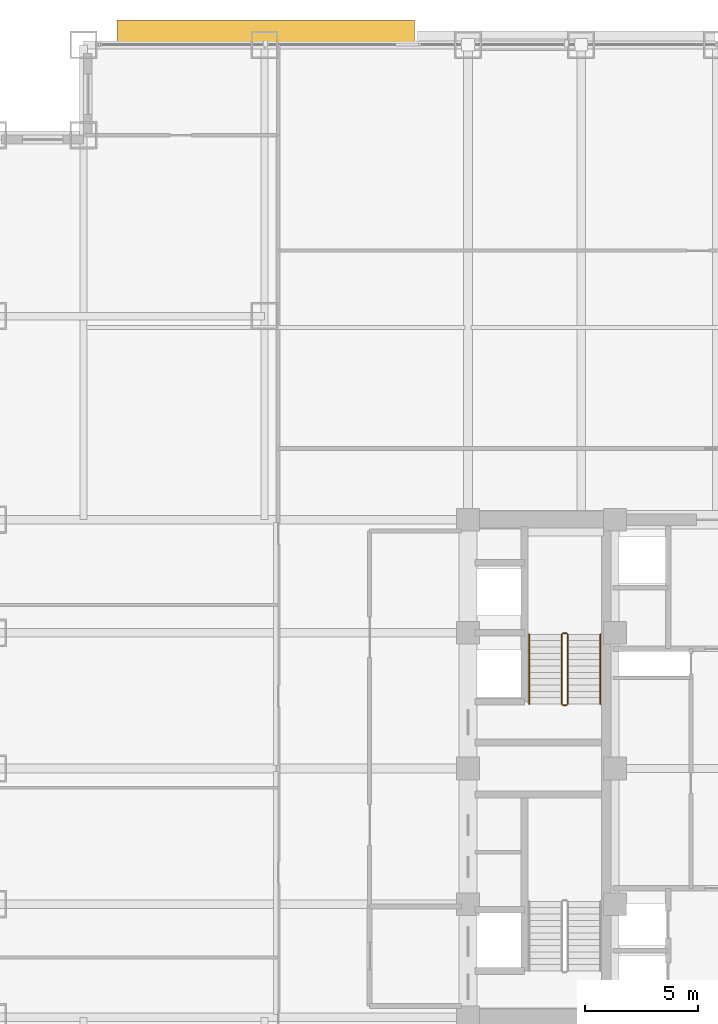
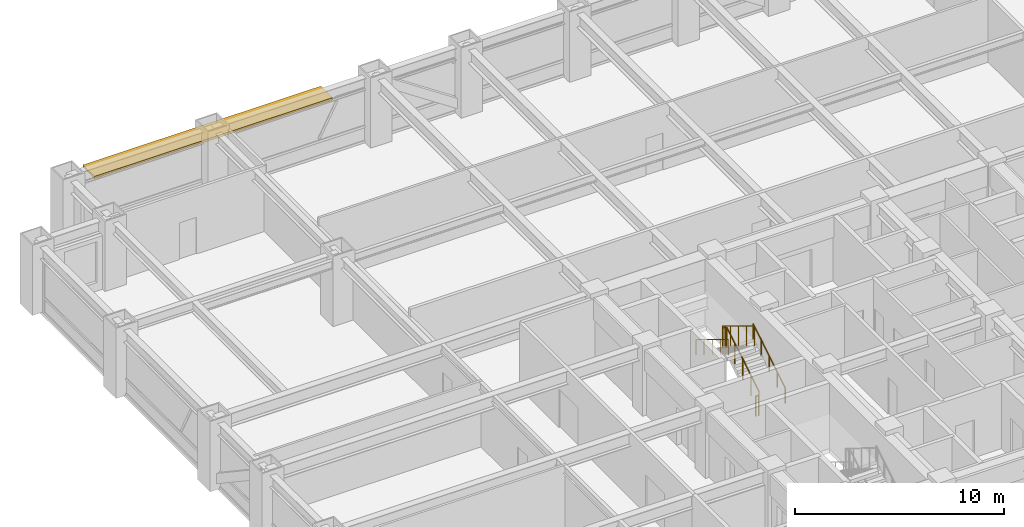
# One storey, part 31 of 32: 6 railings, 1 shading device.
"""IFC4 building model written with IfcOpenShell, lengths in metres."""

from ifc_helpers import new_model, si_unit, direction, frame, origin, origin_2d, place, context, subcontext, project, spatial, rectangle, circle, extrude, source, transform, mapped, material, layer, layer_set, type_object, element, save


model = new_model("IFC4")

# Units and contexts
model_context = context("Model", 3, precision=1e-05, world=origin(), true_north=direction((0.0, 1.0)))
body_context = subcontext(model_context, "Body", "Model", "MODEL_VIEW")
ifc_project = project(units=[si_unit("LENGTHUNIT", "METRE"), si_unit("AREAUNIT", "SQUARE_METRE"), si_unit("VOLUMEUNIT", "CUBIC_METRE"), si_unit("PLANEANGLEUNIT", "RADIAN"), si_unit("MASSUNIT", "GRAM", prefix="KILO")], contexts=[model_context])

# Site, building, storey
site_placement = place(None, origin())
site = spatial("IfcSite", under=ifc_project, at=site_placement, CompositionType="ELEMENT")
building_placement = place(site_placement, origin())
building = spatial("IfcBuilding", under=site, at=building_placement, Name="Khorayat Bourse Tower", CompositionType="ELEMENT")
storey_placement = place(building_placement, frame((0.0, 0.0, 95.5)))
storey = spatial("IfcBuildingStorey", under=building, at=storey_placement, Name="L21", CompositionType="ELEMENT", Elevation=95.5)

# Shading device
ifc_material_1 = material(Name="Precast concrete C45/55", Category="concrete")
ifc_layer = layer(ifc_material_1, 0.139892578125)
ifc_layer_set = layer_set([ifc_layer], Name="Precast concrete C45/55")
shading_device_type = type_object("IfcShadingDeviceType", Name="SHD-WAVE-TRAY-B", PredefinedType="USERDEFINED", material=ifc_layer_set)
shared_shape_1 = source(origin(), body_context, "Body", "SweptSolid", [
    extrude(rectangle(XDim=13.159912109375, YDim=1.115478515625, at=origin_2d()), origin(), (0.0, 0.0, 1.0), 0.139892578125),
])
shading_device_placement = place(storey_placement, frame((-19.949951171875, 32.53759765625, 3.08984375), z_axis=(0.0, 0.0, 1.0), x_axis=(1.0, 0.0, 0.0)))
element("IfcShadingDevice", 1, at=shading_device_placement, inside=storey, type_object=shading_device_type, Name="L21 Sinusoidal Wave Sunshade Tray N-1", ObjectType="SUNSHADE", PredefinedType="USERDEFINED", context=body_context, shape_type="MappedRepresentation", body=[
    mapped(shared_shape_1, transform((0.0, 0.0, 0.0), scale=1.0)),
])

# Railings
ifc_material_2 = material(Name="Powder-coated steel balustrade", Category="steel")
railing_type_1 = type_object("IfcRailingType", Name="RLG-GUARD-1200", PredefinedType="GUARDRAIL", material=ifc_material_2)
shared_shape_2 = source(origin(), body_context, "Body", "SweptSolid", [
    extrude(circle(Radius=0.02392578125, at=origin_2d()), frame((0.0, 0.0, 1.17578125), z_axis=(-1.0, 0.0, 0.0), x_axis=(0.0, -1.0, 0.0)), (0.0, 0.0, 1.0), 0.150146484375),
    extrude(circle(Radius=0.02099609375, at=origin_2d()), origin(), (0.0, 0.0, 1.0), 1.15185546875),
    extrude(circle(Radius=0.02099609375, at=origin_2d()), frame((-0.150146484375, 0.0, 0.0)), (0.0, 0.0, 1.0), 1.15185546875),
])
for number, where, name in (
    (2, (-6.64990234375, 5.97998046875, 2.050048828125), "L21 ST-2 stair guard 2"),
    (3, (-6.64990234375, 2.800048828125, 0.0), "L21 ST-2 stair guard 4"),
):
    element("IfcRailing", number, at=place(storey_placement, frame(where)), inside=storey, type_object=railing_type_1, Name=name, PredefinedType="GUARDRAIL", context=body_context, shape_type="MappedRepresentation", body=[
        mapped(shared_shape_2, transform((0.0, 0.0, 0.0), scale=1.0)),
    ])
shared_shape_3 = source(origin(), body_context, "Body", "SweptSolid", [
    extrude(circle(Radius=0.02392578125, at=origin_2d()), frame((0.0, 0.0, 1.17578125), z_axis=(0.0, 0.853647949592, 0.520850437417), x_axis=(-1.0, 0.0, 0.0)), (0.0, 0.0, 1.0), 3.60791015625),
    extrude(circle(Radius=0.02099609375, at=origin_2d()), origin(), (0.0, 0.0, 1.0), 1.15185546875),
    extrude(circle(Radius=0.02099609375, at=origin_2d()), frame((0.0, 0.77001953125, 0.4697265625)), (0.0, 0.0, 1.0), 1.15185546875),
    extrude(circle(Radius=0.02099609375, at=origin_2d()), frame((0.0, 1.5400390625, 0.939453125)), (0.0, 0.0, 1.0), 1.15185546875),
    extrude(circle(Radius=0.02099609375, at=origin_2d()), frame((0.0, 2.309814453125, 1.409423828125)), (0.0, 0.0, 1.0), 1.15185546875),
    extrude(circle(Radius=0.02099609375, at=origin_2d()), frame((0.0, 3.079833984375, 1.879150390625)), (0.0, 0.0, 1.0), 1.15185546875),
])
railing_1_placement = place(storey_placement, frame((-6.60009765625, 2.85009765625, 0.1708984375)))
element("IfcRailing", 4, at=railing_1_placement, inside=storey, type_object=railing_type_1, Name="L21 ST-2 stair guard 1", PredefinedType="GUARDRAIL", context=body_context, shape_type="MappedRepresentation", body=[
    mapped(shared_shape_3, transform((0.0, 0.0, 0.0), scale=1.0)),
])
shared_shape_4 = source(origin(), body_context, "Body", "SweptSolid", [
    extrude(circle(Radius=0.02392578125, at=origin_2d()), frame((0.0, 0.0, 1.17578125), z_axis=(0.0, -0.853647949592, 0.520850437417), x_axis=(1.0, 0.0, 0.0)), (0.0, 0.0, 1.0), 3.60791015625),
    extrude(circle(Radius=0.02099609375, at=origin_2d()), origin(), (0.0, 0.0, 1.0), 1.15185546875),
    extrude(circle(Radius=0.02099609375, at=origin_2d()), frame((0.0, -0.77001953125, 0.4697265625)), (0.0, 0.0, 1.0), 1.15185546875),
    extrude(circle(Radius=0.02099609375, at=origin_2d()), frame((0.0, -1.5400390625, 0.939453125)), (0.0, 0.0, 1.0), 1.15185546875),
    extrude(circle(Radius=0.02099609375, at=origin_2d()), frame((0.0, -2.309814453125, 1.409423828125)), (0.0, 0.0, 1.0), 1.15185546875),
    extrude(circle(Radius=0.02099609375, at=origin_2d()), frame((0.0, -3.079833984375, 1.879150390625)), (0.0, 0.0, 1.0), 1.15185546875),
])
railing_2_placement = place(storey_placement, frame((-6.85009765625, 5.929931640625, 2.220947265625)))
element("IfcRailing", 5, at=railing_2_placement, inside=storey, type_object=railing_type_1, Name="L21 ST-2 stair guard 3", PredefinedType="GUARDRAIL", context=body_context, shape_type="MappedRepresentation", body=[
    mapped(shared_shape_4, transform((0.0, 0.0, 0.0), scale=1.0)),
])
ifc_material_3 = material(Name="Brushed bronze stainless-steel handrail", Category="steel")
railing_type_2 = type_object("IfcRailingType", Name="RLG-HAND-900", PredefinedType="HANDRAIL", material=ifc_material_3)
shared_shape_5 = source(origin(), body_context, "Body", "SweptSolid", [
    extrude(circle(Radius=0.02392578125, at=origin_2d()), frame((0.0, 0.0, 0.8759765625), z_axis=(0.0, 0.853647949592, 0.520850437417), x_axis=(-1.0, 0.0, 0.0)), (0.0, 0.0, 1.0), 3.60791015625),
    extrude(circle(Radius=0.02099609375, at=origin_2d()), origin(), (0.0, 0.0, 1.0), 0.851806640625),
    extrude(circle(Radius=0.02099609375, at=origin_2d()), frame((0.0, 0.77001953125, 0.4697265625)), (0.0, 0.0, 1.0), 0.851806640625),
    extrude(circle(Radius=0.02099609375, at=origin_2d()), frame((0.0, 1.5400390625, 0.939453125)), (0.0, 0.0, 1.0), 0.851806640625),
    extrude(circle(Radius=0.02099609375, at=origin_2d()), frame((0.0, 2.309814453125, 1.409423828125)), (0.0, 0.0, 1.0), 0.851806640625),
    extrude(circle(Radius=0.02099609375, at=origin_2d()), frame((0.0, 3.079833984375, 1.879150390625)), (0.0, 0.0, 1.0), 0.851806640625),
])
railing_3_placement = place(storey_placement, frame((-5.14990234375, 2.85009765625, 0.1708984375)))
element("IfcRailing", 6, at=railing_3_placement, inside=storey, type_object=railing_type_2, Name="L21 ST-2 stair handrail 1", PredefinedType="HANDRAIL", context=body_context, shape_type="MappedRepresentation", body=[
    mapped(shared_shape_5, transform((0.0, 0.0, 0.0), scale=1.0)),
])
shared_shape_6 = source(origin(), body_context, "Body", "SweptSolid", [
    extrude(circle(Radius=0.02392578125, at=origin_2d()), frame((0.0, 0.0, 0.8759765625), z_axis=(0.0, -0.853647949592, 0.520850437417), x_axis=(1.0, 0.0, 0.0)), (0.0, 0.0, 1.0), 3.60791015625),
    extrude(circle(Radius=0.02099609375, at=origin_2d()), origin(), (0.0, 0.0, 1.0), 0.851806640625),
    extrude(circle(Radius=0.02099609375, at=origin_2d()), frame((0.0, -0.77001953125, 0.4697265625)), (0.0, 0.0, 1.0), 0.851806640625),
    extrude(circle(Radius=0.02099609375, at=origin_2d()), frame((0.0, -1.5400390625, 0.939453125)), (0.0, 0.0, 1.0), 0.851806640625),
    extrude(circle(Radius=0.02099609375, at=origin_2d()), frame((0.0, -2.309814453125, 1.409423828125)), (0.0, 0.0, 1.0), 0.851806640625),
    extrude(circle(Radius=0.02099609375, at=origin_2d()), frame((0.0, -3.079833984375, 1.879150390625)), (0.0, 0.0, 1.0), 0.851806640625),
])
railing_4_placement = place(storey_placement, frame((-8.300048828125, 5.929931640625, 2.220947265625)))
element("IfcRailing", 7, at=railing_4_placement, inside=storey, type_object=railing_type_2, Name="L21 ST-2 stair handrail 2", PredefinedType="HANDRAIL", context=body_context, shape_type="MappedRepresentation", body=[
    mapped(shared_shape_6, transform((0.0, 0.0, 0.0), scale=1.0)),
])

save(model, "model.ifc")
